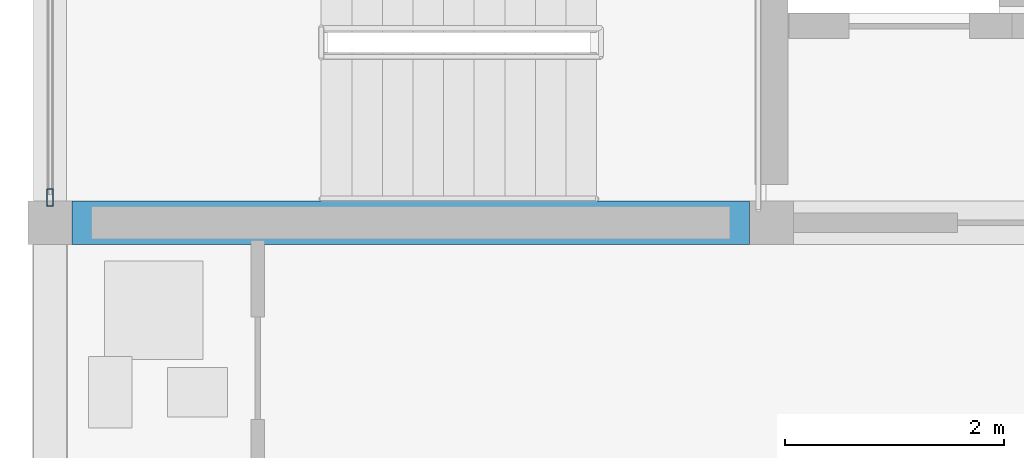
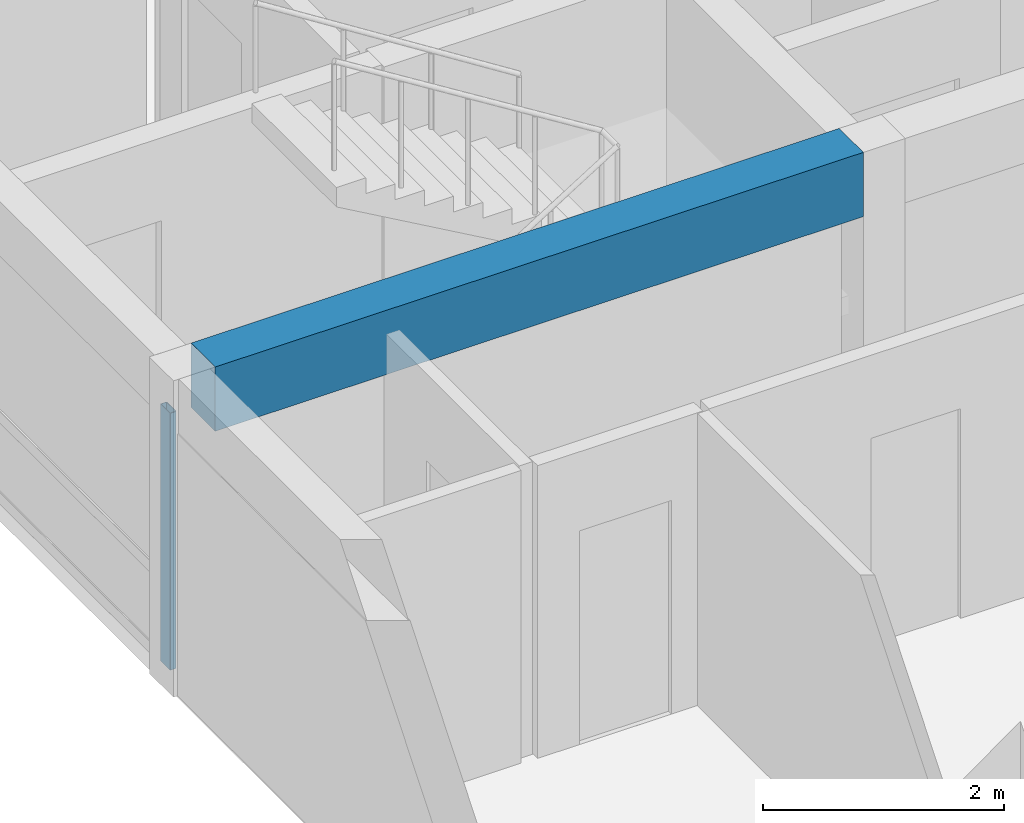
# One storey, part 4 of 45: 1 beam, 1 member, 1 element without a shape of its own.
"""IFC4 building model written with IfcOpenShell, lengths in metres."""

from ifc_helpers import new_model, si_unit, direction, frame, origin, origin_2d, place, context, subcontext, project, spatial, rectangle, hollow_rectangle, extrude, material, material_profile, profile_set, type_object, element, aggregate, save


model = new_model("IFC4")

# Units and contexts
model_context = context("Model", 3, precision=1e-05, world=origin(), true_north=direction((0.0, 1.0)))
body_context = subcontext(model_context, "Body", "Model", "MODEL_VIEW")
ifc_project = project(units=[si_unit("LENGTHUNIT", "METRE"), si_unit("AREAUNIT", "SQUARE_METRE"), si_unit("VOLUMEUNIT", "CUBIC_METRE"), si_unit("PLANEANGLEUNIT", "RADIAN"), si_unit("MASSUNIT", "GRAM", prefix="KILO")], contexts=[model_context])

# Site, building, storey
site_placement = place(None, origin())
site = spatial("IfcSite", under=ifc_project, at=site_placement, CompositionType="ELEMENT")
building_placement = place(site_placement, origin())
building = spatial("IfcBuilding", under=site, at=building_placement, Name="Kernevlak Ridge Housing Community", CompositionType="ELEMENT")
storey_placement = place(building_placement, frame((0.0, 0.0, 21.199951171875)))
storey = spatial("IfcBuildingStorey", under=building, at=storey_placement, Name="L06", CompositionType="ELEMENT", Elevation=21.199951171875)

# Beam
ifc_material_1 = material(Name="Concrete C35/45", Category="concrete")
ifc_material_profile_1 = material_profile(ifc_material_1, rectangle(XDim=0.39990234375, YDim=0.64990234375, at=origin_2d()), Name="RC 400x650")
ifc_profile_set_1 = profile_set([ifc_material_profile_1], Name="Concrete C35/45")
beam_type = type_object("IfcBeamType", Name="B-03", PredefinedType="T_BEAM", material=ifc_profile_set_1)
beam_placement = place(storey_placement, frame((15.800048828125, 22.199951171875, 2.875), z_axis=(1.0, 0.0, 0.0), x_axis=(0.0, 1.0, 0.0)))
element("IfcBeam", 1, at=beam_placement, inside=storey, type_object=beam_type, Name="Beam B-03 L06 1458", PredefinedType="T_BEAM", context=body_context, shape_type="SweptSolid", body=[
    extrude(rectangle(XDim=0.39990234375, YDim=0.64990234375, at=origin_2d()), origin(), (0.0, 0.0, 1.0), 6.199951171875),
])

# Curtain wall, member
ifc_material_2 = material(Name="Aluminium EN AW-6060 anodised and laminated glass", Category="aluminium")
curtain_wall_type = type_object("IfcCurtainWallType", Name="CW-10", PredefinedType="NOTDEFINED", material=ifc_material_2)
curtain_wall_placement = place(storey_placement, origin())
curtain_wall = element("IfcCurtainWall", 2, at=curtain_wall_placement, inside=storey, type_object=curtain_wall_type, Name="Curtain wall CW-10 CW-L06-157", PredefinedType="NOTDEFINED")
ifc_material_3 = material(Name="Aluminium EN AW-6060 anodised", Category="aluminium")
ifc_material_profile_2 = material_profile(ifc_material_3, hollow_rectangle(XDim=0.06005859375, YDim=0.159912109375, WallThickness=0.00390625, InnerFilletRadius=0.001953125, OuterFilletRadius=0.00390625, at=origin_2d()), Name="ALU 60x160x4")
ifc_profile_set_2 = profile_set([ifc_material_profile_2], Name="Aluminium EN AW-6060 anodised")
member_type = type_object("IfcMemberType", Name="MU-02", PredefinedType="MULLION", material=ifc_profile_set_2)
member_placement = place(storey_placement, frame((15.60009765625, 22.429931640625, 0.0), z_axis=(0.0, 0.0, 1.0), x_axis=(-1.0, 0.0, 0.0)))
member = element("IfcMember", 3, at=member_placement, type_object=member_type, Name="CW-10 mullion 1", PredefinedType="MULLION", context=body_context, shape_type="SweptSolid", body=[
    extrude(hollow_rectangle(XDim=0.06005859375, YDim=0.159912109375, WallThickness=0.00390625, InnerFilletRadius=0.001953125, OuterFilletRadius=0.00390625, at=origin_2d()), origin(), (0.0, 0.0, 1.0), 2.60009765625),
])
aggregate(curtain_wall, [member])

save(model, "model.ifc")
